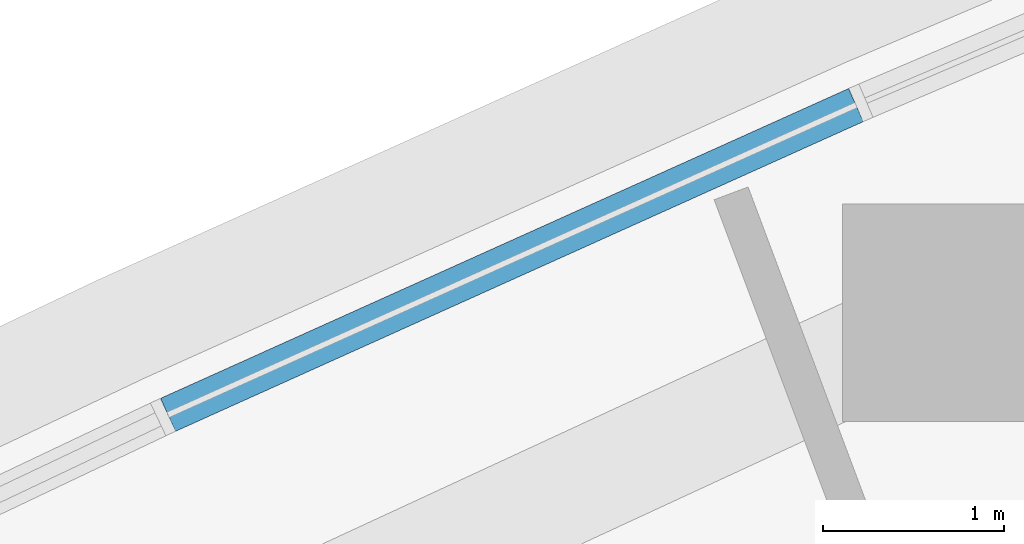
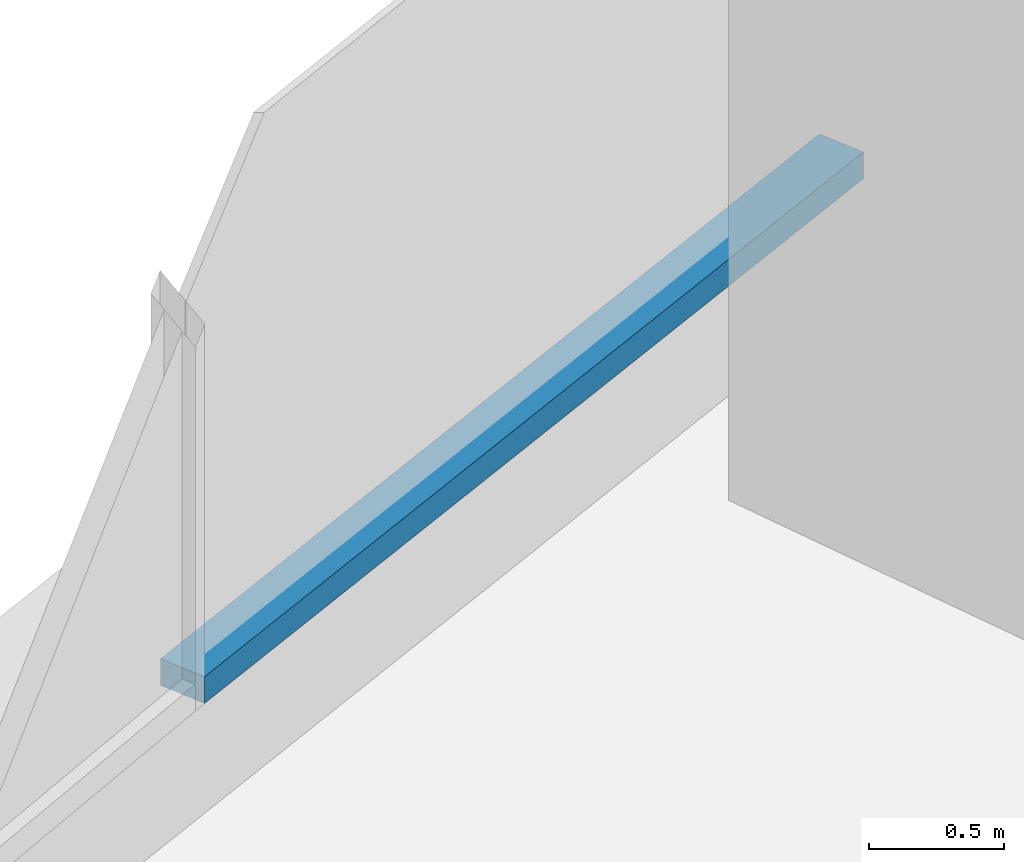
# One storey, part 3 of 15: 1 member, 1 element without a shape of its own.
"""IFC4 building model written with IfcOpenShell, lengths in metres."""

from ifc_helpers import new_model, si_unit, direction, frame, origin, origin_2d, place, context, subcontext, project, spatial, rectangle, extrude, material, layer, layer_set, material_profile, profile_set, type_object, element, aggregate, save


model = new_model("IFC4")

# Units and contexts
model_context = context("Model", 3, precision=1e-05, world=origin(), true_north=direction((0.0, 1.0)))
body_context = subcontext(model_context, "Body", "Model", "MODEL_VIEW")
ifc_project = project(units=[si_unit("LENGTHUNIT", "METRE"), si_unit("AREAUNIT", "SQUARE_METRE"), si_unit("VOLUMEUNIT", "CUBIC_METRE"), si_unit("PLANEANGLEUNIT", "RADIAN"), si_unit("MASSUNIT", "GRAM", prefix="KILO")], contexts=[model_context])

# Site, building, storey
site_placement = place(None, origin())
site = spatial("IfcSite", under=ifc_project, at=site_placement, CompositionType="ELEMENT")
building_placement = place(site_placement, origin())
building = spatial("IfcBuilding", under=site, at=building_placement, Name="Ostrand Prow Hotel Tower", CompositionType="ELEMENT")
storey_placement = place(building_placement, frame((0.0, 0.0, 242.10009765625)))
storey = spatial("IfcBuildingStorey", under=building, at=storey_placement, Name="L61", CompositionType="ELEMENT", Elevation=242.10009765625)

# Curtain wall, member
ifc_material_1 = material(Name="Insulated glass in bronze anodised frame", Category="glass")
ifc_layer = layer(ifc_material_1, 0.199951171875)
ifc_layer_set = layer_set([ifc_layer], Name="Insulated glass in bronze anodised frame")
curtain_wall_type = type_object("IfcCurtainWallType", Name="Strip curtain wall, fritted glass over bronze spandrel", PredefinedType="NOTDEFINED", material=ifc_layer_set)
curtain_wall_placement = place(storey_placement, origin())
curtain_wall = element("IfcCurtainWall", 1, at=curtain_wall_placement, inside=storey, type_object=curtain_wall_type, Name="CW1 run CWN5", PredefinedType="NOTDEFINED")
ifc_material_2 = material(Name="Bronze anodised aluminium", Category="aluminium")
ifc_material_profile = material_profile(ifc_material_2, rectangle(XDim=0.199951171875, YDim=0.1201171875, at=origin_2d()), Name="Transom 120x200 bronze anodised aluminium")
ifc_profile_set = profile_set([ifc_material_profile], Name="Bronze anodised aluminium")
member_type = type_object("IfcMemberType", Name="Transom 120x200 bronze anodised aluminium", PredefinedType="USERDEFINED", material=ifc_profile_set)
member_placement = place(storey_placement, frame((20.53271484375, 10.10400390625, 0.9599609375), z_axis=(-0.911832617051, -0.410562149353, 0.0), x_axis=(0.410562149353, -0.911832617051, 0.0)))
member = element("IfcMember", 2, at=member_placement, type_object=member_type, Name="CW1 transom 1.1", ObjectType="TRANSOM", PredefinedType="USERDEFINED", context=body_context, shape_type="SweptSolid", body=[
    extrude(rectangle(XDim=0.199951171875, YDim=0.1201171875, at=origin_2d()), origin(), (0.0, 0.0, 1.0), 4.163818359375),
])
aggregate(curtain_wall, [member])

save(model, "model.ifc")
